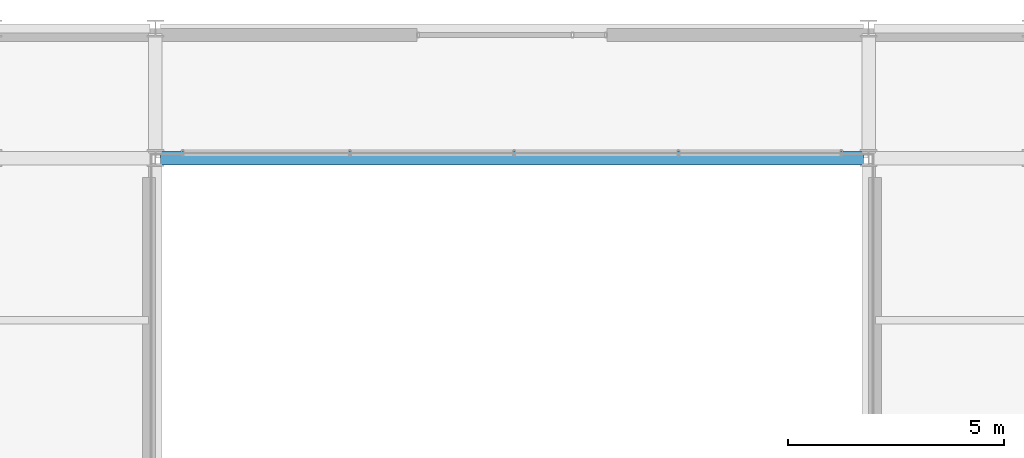
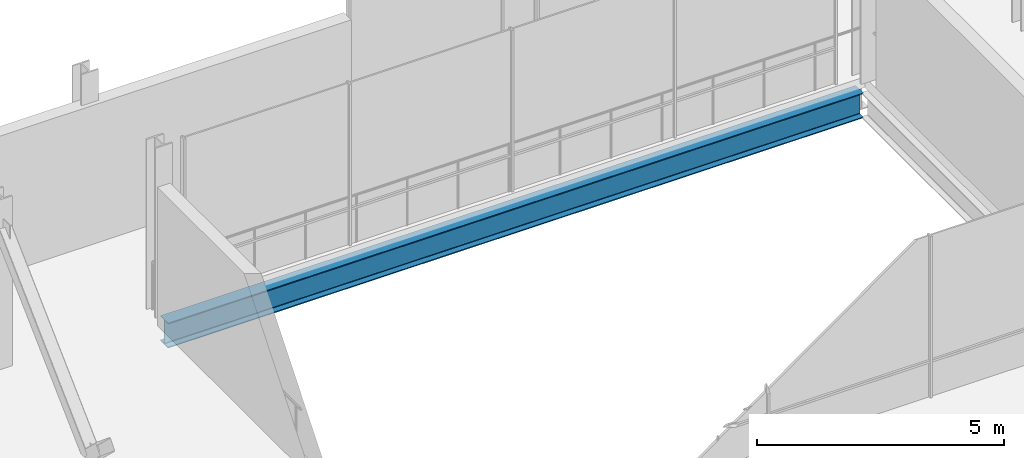
# One storey, part 10 of 33: 1 beam.
"""IFC4 building model written with IfcOpenShell, lengths in metres."""

from ifc_helpers import new_model, si_unit, direction, frame, origin, origin_2d, place, context, subcontext, project, spatial, i_section, extrude, material, material_profile, profile_set, type_object, element, save


model = new_model("IFC4")

# Units and contexts
model_context = context("Model", 3, precision=1e-05, world=origin(), true_north=direction((0.0, 1.0)))
body_context = subcontext(model_context, "Body", "Model", "MODEL_VIEW")
ifc_project = project(units=[si_unit("LENGTHUNIT", "METRE"), si_unit("AREAUNIT", "SQUARE_METRE"), si_unit("VOLUMEUNIT", "CUBIC_METRE"), si_unit("PLANEANGLEUNIT", "RADIAN"), si_unit("MASSUNIT", "GRAM", prefix="KILO")], contexts=[model_context])

# Site, building, storey
site_placement = place(None, origin())
site = spatial("IfcSite", under=ifc_project, at=site_placement, CompositionType="ELEMENT")
building_placement = place(site_placement, origin())
building = spatial("IfcBuilding", under=site, at=building_placement, Name="Brevholm Reach", CompositionType="ELEMENT")
storey_placement = place(building_placement, frame((0.0, 0.0, 179.0)))
storey = spatial("IfcBuildingStorey", under=building, at=storey_placement, Name="L54", CompositionType="ELEMENT", Elevation=179.0)

# Beam
ifc_material = material(Name="Structural Steel S355J2", Category="steel")
ifc_material_profile = material_profile(ifc_material, i_section(OverallWidth=0.30712890625, OverallDepth=0.6201171875, WebThickness=0.01416015625, FlangeThickness=0.023681640625, FilletRadius=0.0166015625, at=origin_2d()), Name="UKB 610x305x179")
ifc_profile_set = profile_set([ifc_material_profile], Name="Structural Steel S355J2")
beam_type = type_object("IfcBeamType", Name="BM-UKB610H", PredefinedType="USERDEFINED", material=ifc_profile_set)
beam_placement = place(storey_placement, frame((21.8701171875, 23.5, -0.570068359375), z_axis=(1.0, 0.0, 0.0), x_axis=(0.0, 1.0, 0.0)))
element("IfcBeam", 1, at=beam_placement, inside=storey, type_object=beam_type, Name="L54 G-06 Framing Beam", ObjectType="GIRDER", PredefinedType="USERDEFINED", context=body_context, shape_type="SweptSolid", body=[
    extrude(i_section(OverallWidth=0.30712890625, OverallDepth=0.6201171875, WebThickness=0.01416015625, FlangeThickness=0.023681640625, FilletRadius=0.0166015625, at=origin_2d()), origin(), (0.0, 0.0, 1.0), 16.259765625),
])

save(model, "model.ifc")
